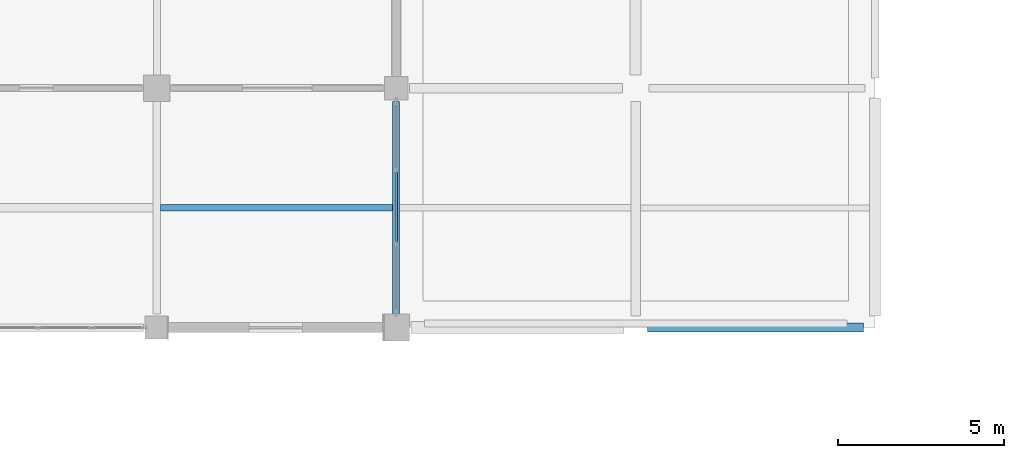
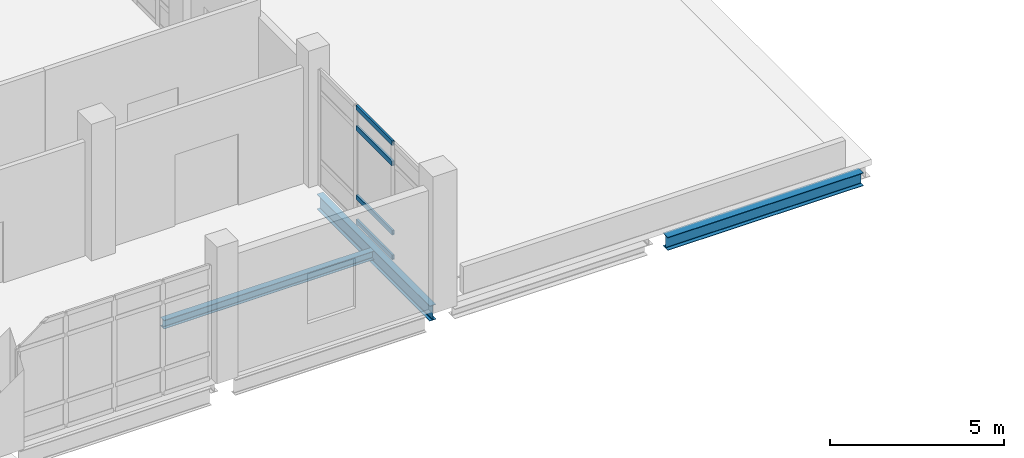
# One storey, part 89 of 153: 4 members, 3 beams, 1 element without a shape of its own.
"""IFC4 building model written with IfcOpenShell, lengths in metres."""

from ifc_helpers import new_model, si_unit, direction, frame, origin, origin_2d, place, context, subcontext, project, spatial, hollow_rectangle, i_section, extrude, material, layer, layer_set, material_profile, profile_set, type_object, element, aggregate, save


model = new_model("IFC4")

# Units and contexts
model_context = context("Model", 3, precision=1e-05, world=origin(), true_north=direction((0.0, 1.0)))
body_context = subcontext(model_context, "Body", "Model", "MODEL_VIEW")
ifc_project = project(units=[si_unit("LENGTHUNIT", "METRE"), si_unit("AREAUNIT", "SQUARE_METRE"), si_unit("VOLUMEUNIT", "CUBIC_METRE"), si_unit("PLANEANGLEUNIT", "RADIAN"), si_unit("MASSUNIT", "GRAM", prefix="KILO")], contexts=[model_context])

# Site, building, storey
site_placement = place(None, origin())
site = spatial("IfcSite", under=ifc_project, at=site_placement, CompositionType="ELEMENT")
building_placement = place(site_placement, origin())
building = spatial("IfcBuilding", under=site, at=building_placement, Name="Calvrana Isthmian Art Gallery", CompositionType="ELEMENT")
storey_placement = place(building_placement, frame((0.0, 0.0, 10.199951171875)))
storey = spatial("IfcBuildingStorey", under=building, at=storey_placement, Name="L02", CompositionType="ELEMENT", Elevation=10.199951171875)

# Beams
ifc_material_1 = material(Name="Steel ASTM A992 Gr 50", Category="steel")
ifc_material_profile_1 = material_profile(ifc_material_1, i_section(OverallWidth=0.279052734375, OverallDepth=0.4619140625, WebThickness=0.0107421875, FlangeThickness=0.017333984375, FilletRadius=0.02001953125, at=origin_2d()), Name="W18X76")
ifc_profile_set_1 = profile_set([ifc_material_profile_1], Name="Steel ASTM A992 Gr 50")
beam_type_1 = type_object("IfcBeamType", Name="BM-G-W18X76", PredefinedType="BEAM", material=ifc_profile_set_1)
beam_1_placement = place(storey_placement, frame((141.949951171875, 76.800048828125, -0.495849609375), z_axis=(1.0, 0.0, 0.0), x_axis=(0.0, 1.0, 0.0)))
element("IfcBeam", 1, at=beam_1_placement, inside=storey, type_object=beam_type_1, Name="Girder X L02 19-20/K", PredefinedType="BEAM", context=body_context, shape_type="SweptSolid", body=[
    extrude(i_section(OverallWidth=0.279052734375, OverallDepth=0.4619140625, WebThickness=0.0107421875, FlangeThickness=0.017333984375, FilletRadius=0.02001953125, at=origin_2d()), origin(), (0.0, 0.0, 1.0), 6.5),
])
ifc_material_profile_2 = material_profile(ifc_material_1, i_section(OverallWidth=0.208984375, OverallDepth=0.532958984375, WebThickness=0.01025390625, FlangeThickness=0.015625, FilletRadius=0.02099609375, at=origin_2d()), Name="W21X62")
ifc_profile_set_2 = profile_set([ifc_material_profile_2], Name="Steel ASTM A992 Gr 50")
beam_type_2 = type_object("IfcBeamType", Name="BM-G-W21X62", PredefinedType="BEAM", material=ifc_profile_set_2)
beam_2_placement = place(storey_placement, frame((134.39990234375, 77.10009765625, -0.531494140625), z_axis=(0.0, 1.0, 0.0), x_axis=(-1.0, 0.0, 0.0)))
element("IfcBeam", 2, at=beam_2_placement, inside=storey, type_object=beam_type_2, Name="Girder Y L02 18/K-L", PredefinedType="BEAM", context=body_context, shape_type="SweptSolid", body=[
    extrude(i_section(OverallWidth=0.208984375, OverallDepth=0.532958984375, WebThickness=0.01025390625, FlangeThickness=0.015625, FilletRadius=0.02099609375, at=origin_2d()), origin(), (0.0, 0.0, 1.0), 6.5),
])
ifc_material_profile_3 = material_profile(ifc_material_1, i_section(OverallWidth=0.202880859375, OverallDepth=0.302001953125, WebThickness=0.007568359375, FlangeThickness=0.01318359375, FilletRadius=0.01611328125, at=origin_2d()), Name="W12X40")
ifc_profile_set_3 = profile_set([ifc_material_profile_3], Name="Steel ASTM A992 Gr 50")
beam_type_3 = type_object("IfcBeamType", Name="BM-J-W12X40", PredefinedType="JOIST", material=ifc_profile_set_3)
beam_3_placement = place(storey_placement, frame((127.31396484375, 80.39990234375, -0.416015625), z_axis=(1.0, 0.0, 0.0), x_axis=(0.0, 1.0, 0.0)))
element("IfcBeam", 3, at=beam_3_placement, inside=storey, type_object=beam_type_3, Name="Composite joist L02 bay 16-10", PredefinedType="JOIST", context=body_context, shape_type="SweptSolid", body=[
    extrude(i_section(OverallWidth=0.202880859375, OverallDepth=0.302001953125, WebThickness=0.007568359375, FlangeThickness=0.01318359375, FilletRadius=0.01611328125, at=origin_2d()), origin(), (0.0, 0.0, 1.0), 6.9814453125),
])

# Curtain wall, members
ifc_material_2 = material(Name="Anodized bronze aluminium 6063-T6", Category="aluminium")
ifc_layer = layer(ifc_material_2, 0.179931640625, Name="Anodized bronze aluminium 6063-T6")
ifc_layer_set = layer_set([ifc_layer], Name="Anodized bronze aluminium 6063-T6")
curtain_wall_type = type_object("IfcCurtainWallType", Name="CW-UNIT-065X41", PredefinedType="USERDEFINED", material=ifc_layer_set)
curtain_wall_placement = place(storey_placement, origin())
curtain_wall = element("IfcCurtainWall", 4, at=curtain_wall_placement, inside=storey, type_object=curtain_wall_type, Name="Curtain wall CW-183", ObjectType="UNITISED CURTAIN WALL", PredefinedType="USERDEFINED")
ifc_material_profile_4 = material_profile(ifc_material_2, hollow_rectangle(XDim=0.070068359375, YDim=0.169921875, WallThickness=0.00439453125, at=origin_2d()), Name="CWT70X170")
ifc_profile_set_4 = profile_set([ifc_material_profile_4], Name="Anodized bronze aluminium 6063-T6")
member_type = type_object("IfcMemberType", Name="CWT-CWT70X170", PredefinedType="USERDEFINED", material=ifc_profile_set_4)
member_1_placement = place(storey_placement, frame((134.39990234375, 81.465087890625, 0.03515625), z_axis=(0.0, -1.0, 0.0), x_axis=(1.0, 0.0, 0.0)))
member_1 = element("IfcMember", 5, at=member_1_placement, type_object=member_type, Name="CW-183 transom 2.1", ObjectType="TRANSOM", PredefinedType="USERDEFINED", context=body_context, shape_type="SweptSolid", body=[
    extrude(hollow_rectangle(XDim=0.070068359375, YDim=0.169921875, WallThickness=0.00439453125, at=origin_2d()), origin(), (0.0, 0.0, 1.0), 2.080078125),
])
member_2_placement = place(storey_placement, frame((134.39990234375, 81.465087890625, 0.900146484375), z_axis=(0.0, -1.0, 0.0), x_axis=(1.0, 0.0, 0.0)))
member_2 = element("IfcMember", 6, at=member_2_placement, type_object=member_type, Name="CW-183 transom 2.2", ObjectType="TRANSOM", PredefinedType="USERDEFINED", context=body_context, shape_type="SweptSolid", body=[
    extrude(hollow_rectangle(XDim=0.070068359375, YDim=0.169921875, WallThickness=0.00439453125, at=origin_2d()), origin(), (0.0, 0.0, 1.0), 2.080078125),
])
member_3_placement = place(storey_placement, frame((134.39990234375, 81.465087890625, 3.328125), z_axis=(0.0, -1.0, 0.0), x_axis=(1.0, 0.0, 0.0)))
member_3 = element("IfcMember", 7, at=member_3_placement, type_object=member_type, Name="CW-183 transom 2.3", ObjectType="TRANSOM", PredefinedType="USERDEFINED", context=body_context, shape_type="SweptSolid", body=[
    extrude(hollow_rectangle(XDim=0.070068359375, YDim=0.169921875, WallThickness=0.00439453125, at=origin_2d()), origin(), (0.0, 0.0, 1.0), 2.080078125),
])
member_4_placement = place(storey_placement, frame((134.39990234375, 81.465087890625, 4.04296875), z_axis=(0.0, -1.0, 0.0), x_axis=(1.0, 0.0, 0.0)))
member_4 = element("IfcMember", 8, at=member_4_placement, type_object=member_type, Name="CW-183 transom 2.4", ObjectType="TRANSOM", PredefinedType="USERDEFINED", context=body_context, shape_type="SweptSolid", body=[
    extrude(hollow_rectangle(XDim=0.070068359375, YDim=0.169921875, WallThickness=0.00439453125, at=origin_2d()), origin(), (0.0, 0.0, 1.0), 2.080078125),
])
aggregate(curtain_wall, [member_1, member_2, member_3, member_4])

save(model, "model.ifc")
